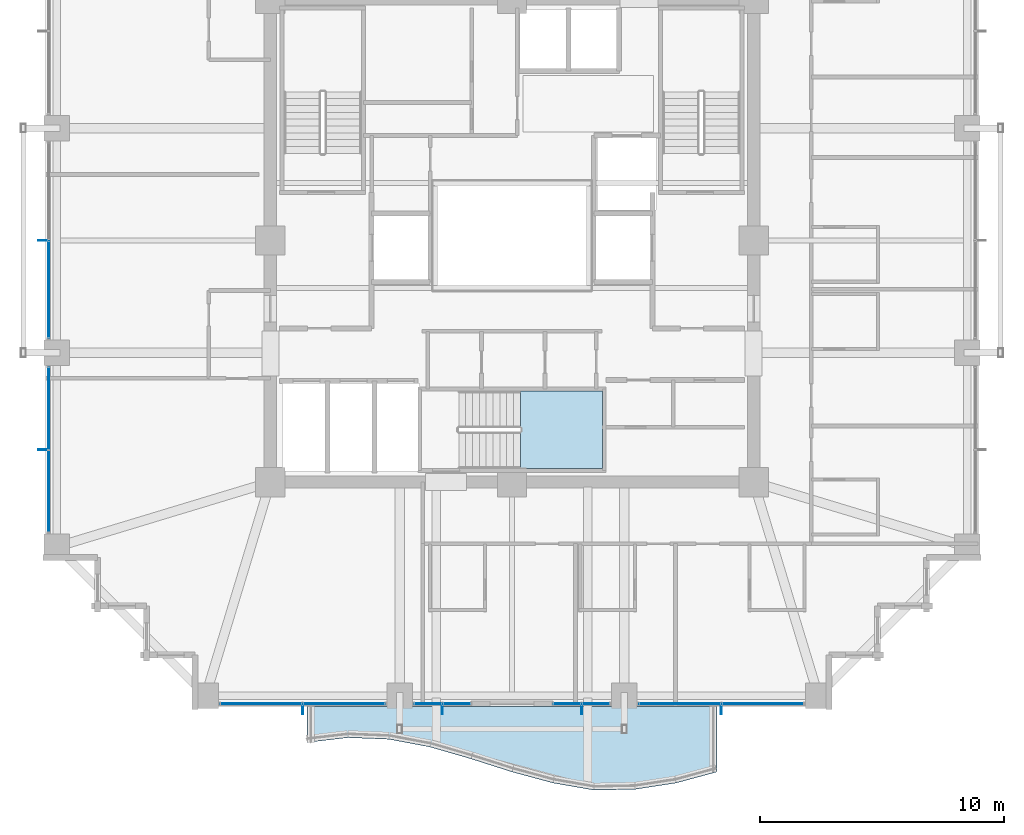
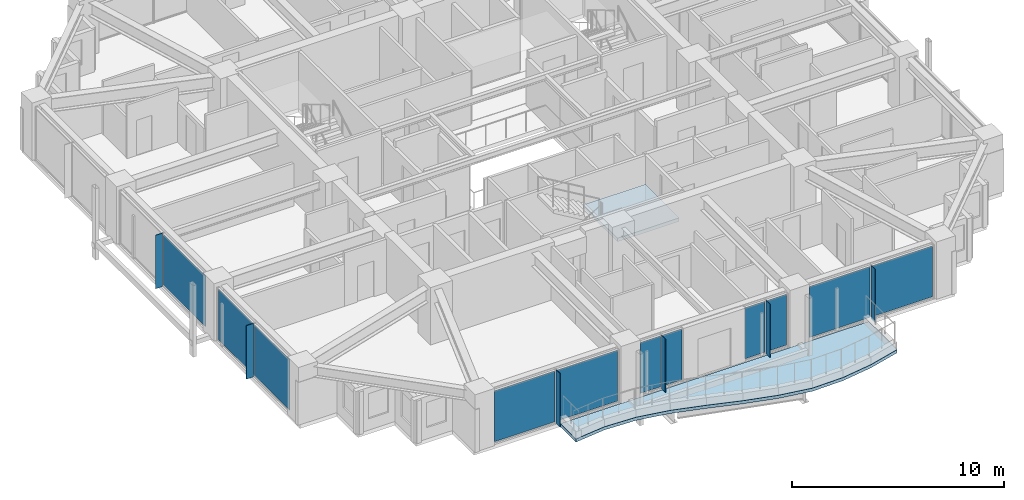
# One storey, part 22 of 34: 17 plates, 2 slabs, 7 elements without a shape of their own.
"""IFC4 building model written with IfcOpenShell, lengths in metres."""

import ifcopenshell
import ifcopenshell.guid

model = None  # the IFC model being written
_history = None  # IfcOwnerHistory: only IFC2X3 demands one
_inside = {}  # id of a spatial element -> (the spatial element, [elements in it])
_under = {}  # id of a project, library or spatial element -> (it, [spatial elements below it])
_declared = {}  # id of a project -> (the project, [libraries it declares])
_typed = {}  # id of a type object -> (the type object, [elements of that type])
_made_of = {}  # id of a material, layer set ... -> (it, [elements and type objects made of it])


def new_model(schema):
    """Start an empty IFC model of exactly this schema.

    Asked for "IFC4X3", IfcOpenShell would pick the latest addendum, in which some entities
    have other attributes; the version numbers below select the first issue.
    IFC2X3 requires an IfcOwnerHistory on every rooted entity: one is made here for all.
    """
    global model, _history
    if schema == "IFC4X3":
        model = ifcopenshell.file(schema_version=(4, 3, 0, 0))
    else:
        model = ifcopenshell.file(schema=schema)
    _inside.clear()
    _under.clear()
    _declared.clear()
    _typed.clear()
    _made_of.clear()
    _history = None
    if model.schema == "IFC2X3":
        org = make("IfcOrganization", Name="unknown")
        user = make(
            "IfcPersonAndOrganization",
            ThePerson=make("IfcPerson", FamilyName="unknown"),
            TheOrganization=org,
        )
        app = make(
            "IfcApplication",
            ApplicationDeveloper=org,
            Version="unknown",
            ApplicationFullName="unknown",
            ApplicationIdentifier="unknown",
        )
        _history = make(
            "IfcOwnerHistory",
            OwningUser=user,
            OwningApplication=app,
            ChangeAction="ADDED",
            CreationDate=0,
        )
    return model


def make(cls, **values):
    """One entity of the class cls with the attributes given. An attribute that is None is left unset."""
    return model.create_entity(
        cls, **{name: value for name, value in values.items() if value is not None}
    )


def rooted(cls, **values):
    """An entity with a GlobalId (a new one), such as an element, a storey or a relation."""
    return make(cls, GlobalId=ifcopenshell.guid.new(), OwnerHistory=_history, **values)


def si_unit(unit_type, name, prefix=None):
    """IfcSIUnit, for example si_unit("LENGTHUNIT", "METRE", prefix="MILLI")."""
    return make("IfcSIUnit", UnitType=unit_type, Prefix=prefix, Name=name)


def assignment(units):
    """IfcUnitAssignment: the units of a project."""
    return None if units is None else make("IfcUnitAssignment", Units=units)


def point(xyz):
    """IfcCartesianPoint."""
    return None if xyz is None else make("IfcCartesianPoint", Coordinates=xyz)


def direction(xyz):
    """IfcDirection."""
    return None if xyz is None else make("IfcDirection", DirectionRatios=xyz)


def frame(location, z_axis=None, x_axis=None):
    """IfcAxis2Placement3D, a coordinate frame: its origin and axes. An axis left out is left unset."""
    return make(
        "IfcAxis2Placement3D",
        Location=point(location),
        Axis=direction(z_axis),
        RefDirection=direction(x_axis),
    )


def frame_2d(location, x_axis=None):
    """IfcAxis2Placement2D, a coordinate frame in the plane: its origin and x axis."""
    return make(
        "IfcAxis2Placement2D", Location=point(location), RefDirection=direction(x_axis)
    )


def origin():
    """The frame at (0, 0, 0) with its axes left unset."""
    return frame((0.0, 0.0, 0.0))


def origin_2d():
    """The frame at (0, 0) in the plane with its x axis left unset."""
    return frame_2d((0.0, 0.0))


def place(relative_to, where):
    """IfcLocalPlacement: puts the frame where relative to a parent placement (None: the world)."""
    return make(
        "IfcLocalPlacement", PlacementRelTo=relative_to, RelativePlacement=where
    )


def context(
    kind, dimensions, precision=None, world=None, true_north=None, identifier=None
):
    """IfcGeometricRepresentationContext, for example the 3D "Model" context."""
    return make(
        "IfcGeometricRepresentationContext",
        ContextIdentifier=identifier,
        ContextType=kind,
        CoordinateSpaceDimension=dimensions,
        Precision=precision,
        WorldCoordinateSystem=world,
        TrueNorth=true_north,
    )


def subcontext(parent, identifier, kind, view, scale=None):
    """IfcGeometricRepresentationSubContext, for example "Body" below "Model"."""
    return make(
        "IfcGeometricRepresentationSubContext",
        ContextIdentifier=identifier,
        ContextType=kind,
        ParentContext=parent,
        TargetScale=scale,
        TargetView=view,
    )


def project(units=None, contexts=None):
    """IfcProject with its units and contexts."""
    return rooted(
        "IfcProject",
        Name="project",
        RepresentationContexts=contexts,
        UnitsInContext=assignment(units),
    )


def spatial(cls, under=None, at=None, **own):
    """A site, building, storey or space (cls), placed at a placement, below another one or the project."""
    s = rooted(cls, ObjectPlacement=at, **own)
    if under is not None:
        _under.setdefault(under.id(), (under, []))[1].append(s)
    return s


def polyline(points):
    """IfcPolyline through the points."""
    return make("IfcPolyline", Points=[point(p) for p in points])


def profile(cls, at=None, kind="AREA", **sizes):
    """A parametric profile (cls). Its sizes go by their IFC names, for example OverallWidth=200.0."""
    return make(cls, ProfileType=kind, Position=at, **sizes)


def rectangle(**sizes):
    """IfcRectangleProfileDef."""
    return profile("IfcRectangleProfileDef", **sizes)


def outline(outer, holes=None, kind="AREA"):
    """IfcArbitraryClosedProfileDef: a profile drawn as a closed curve; with holes, ...WithVoids."""
    if holes is None:
        return make("IfcArbitraryClosedProfileDef", ProfileType=kind, OuterCurve=outer)
    return make(
        "IfcArbitraryProfileDefWithVoids",
        ProfileType=kind,
        OuterCurve=outer,
        InnerCurves=holes,
    )


def extrude(swept, where, along, depth):
    """IfcExtrudedAreaSolid: the profile swept, set in the frame where, extruded along a direction by depth."""
    return make(
        "IfcExtrudedAreaSolid",
        SweptArea=swept,
        Position=where,
        ExtrudedDirection=direction(along),
        Depth=depth,
    )


def shape(context_of_items, identifier, shape_type, items):
    """IfcShapeRepresentation: the items that make up one representation, for example the "Body"."""
    return make(
        "IfcShapeRepresentation",
        ContextOfItems=context_of_items,
        RepresentationIdentifier=identifier,
        RepresentationType=shape_type,
        Items=items,
    )


def material(Name=None, Category=None):
    """IfcMaterial."""
    return make("IfcMaterial", Name=Name, Category=Category)


def layer(
    of_material, thickness, ventilated=None, Name=None, Category=None, Priority=None
):
    """IfcMaterialLayer: one layer of a wall or slab, of a material (None: an air gap)."""
    return make(
        "IfcMaterialLayer",
        Material=of_material,
        LayerThickness=thickness,
        IsVentilated=ventilated,
        Name=Name,
        Category=Category,
        Priority=Priority,
    )


def layer_set(layers, Name=None):
    """IfcMaterialLayerSet."""
    return make("IfcMaterialLayerSet", MaterialLayers=layers, LayerSetName=Name)


def made_of(thing, what):
    """Note that an element or type object is made of a material, layer set ...; save() writes the relation."""
    if what is not None:
        _made_of.setdefault(what.id(), (what, []))[1].append(thing)
    return thing


def type_object(cls, material=None, **own):
    """A type object (cls), such as IfcWallType, which elements share."""
    return made_of(rooted(cls, **own), material)


def element(
    cls,
    number,
    at=None,
    inside=None,
    cuts=None,
    type_object=None,
    material=None,
    context=None,
    identifier="Body",
    shape_type=None,
    held_by="IfcProductDefinitionShape",
    body=None,
    shapes=None,
    **own,
):
    """One element of the class cls, such as IfcWall. Its Tag is "e" and its number.

    at: its placement. inside: the storey or other place that contains it. cuts: it is an
    opening in that element (IfcRelVoidsElement). A single representation is given by context,
    identifier, shape_type and body (its items); several are given by shapes. held_by: the class
    of the entity that holds the representations. save() writes the other relations.
    """
    e = rooted(cls, Tag="e%d" % number, ObjectPlacement=at, **own)
    if body is not None:
        shapes = [shape(context, identifier, shape_type, body)]
    if shapes is not None:
        e.Representation = make(held_by, Representations=shapes)
    if inside is not None:
        _inside.setdefault(inside.id(), (inside, []))[1].append(e)
    if cuts is not None:
        rooted(
            "IfcRelVoidsElement", RelatingBuildingElement=cuts, RelatedOpeningElement=e
        )
    if type_object is not None:
        _typed.setdefault(type_object.id(), (type_object, []))[1].append(e)
    return made_of(e, material)


def aggregate(whole, parts):
    """IfcRelAggregates: a whole, such as a stair, and the parts it consists of."""
    return rooted("IfcRelAggregates", RelatingObject=whole, RelatedObjects=parts)


def save(model, path):
    """Write the relations noted so far, then the file.

    IfcRelAggregates (storeys below a building ...), IfcRelContainedInSpatialStructure (elements
    in a storey), IfcRelDefinesByType, IfcRelAssociatesMaterial and IfcRelDeclares: one each for
    every whole, place, type object, material and project.
    """
    for whole, parts in _under.values():
        aggregate(whole, parts)
    for where, things in _inside.values():
        rooted(
            "IfcRelContainedInSpatialStructure",
            RelatedElements=things,
            RelatingStructure=where,
        )
    for kind, things in _typed.values():
        rooted("IfcRelDefinesByType", RelatedObjects=things, RelatingType=kind)
    for what, things in _made_of.values():
        rooted("IfcRelAssociatesMaterial", RelatedObjects=things, RelatingMaterial=what)
    for by, libraries in _declared.values():
        rooted("IfcRelDeclares", RelatingContext=by, RelatedDefinitions=libraries)
    model.write(path)


model = new_model("IFC4")

# Units and contexts
model_context = context("Model", 3, precision=1e-05, world=origin(), true_north=direction((0.0, 1.0)))
body_context = subcontext(model_context, "Body", "Model", "MODEL_VIEW")
ifc_project = project(units=[si_unit("LENGTHUNIT", "METRE"), si_unit("AREAUNIT", "SQUARE_METRE"), si_unit("VOLUMEUNIT", "CUBIC_METRE"), si_unit("PLANEANGLEUNIT", "RADIAN"), si_unit("MASSUNIT", "GRAM", prefix="KILO")], contexts=[model_context])

# Site, building, storey
site_placement = place(None, origin())
site = spatial("IfcSite", under=ifc_project, at=site_placement, CompositionType="ELEMENT")
building_placement = place(site_placement, origin())
building = spatial("IfcBuilding", under=site, at=building_placement, Name="Kolvaren Belvedere", CompositionType="ELEMENT")
storey_placement = place(building_placement, frame((0.0, 0.0, 111.800048828125)))
storey = spatial("IfcBuildingStorey", under=building, at=storey_placement, Name="L32", CompositionType="ELEMENT", Elevation=111.800048828125)

# Curtain wall, plates
ifc_material_1 = material(Name="Anodised pale-metal aluminium AA 6063-T6", Category="aluminium")
curtain_wall_type = type_object("IfcCurtainWallType", Name="CW-Z3-WAIST", PredefinedType="NOTDEFINED", material=ifc_material_1)
curtain_wall_1_placement = place(storey_placement, origin())
curtain_wall_1 = element("IfcCurtainWall", 1, at=curtain_wall_1_placement, inside=storey, type_object=curtain_wall_type, Name="L32 Unitised Curtain Wall FCW-L32-S1-B1", PredefinedType="NOTDEFINED")
ifc_material_2 = material(Name="Low-iron triple insulated glass", Category="glass")
ifc_layer_1 = layer(ifc_material_2, 0.028076171875)
ifc_layer_set_1 = layer_set([ifc_layer_1], Name="Low-iron triple insulated glass")
plate_type_1 = type_object("IfcPlateType", Name="CW-PNL-VIS28", PredefinedType="CURTAIN_PANEL", material=ifc_layer_set_1)
plate_1_placement = place(storey_placement, frame((10.273681640625, -18.97998046875, 0.080078125), z_axis=(0.0, 0.0, 1.0), x_axis=(-1.0, 0.0, 0.0)))
plate_1 = element("IfcPlate", 2, at=plate_1_placement, type_object=plate_type_1, Name="FCW-L32-S1-B1 Vision Glazing Panel 1", PredefinedType="CURTAIN_PANEL", context=body_context, shape_type="SweptSolid", body=[
    extrude(rectangle(XDim=3.3173828125, YDim=0.028076171875, at=origin_2d()), origin(), (0.0, 0.0, 1.0), 2.919921875),
])
plate_2_placement = place(storey_placement, frame((6.876220703125, -18.97998046875, 0.080078125), z_axis=(0.0, 0.0, 1.0), x_axis=(-1.0, 0.0, 0.0)))
plate_2 = element("IfcPlate", 3, at=plate_2_placement, type_object=plate_type_1, Name="FCW-L32-S1-B1 Vision Glazing Panel 2", PredefinedType="CURTAIN_PANEL", context=body_context, shape_type="SweptSolid", body=[
    extrude(rectangle(XDim=3.3173828125, YDim=0.028076171875, at=origin_2d()), origin(), (0.0, 0.0, 1.0), 2.919921875),
])
aggregate(curtain_wall_1, [plate_1, plate_2])

curtain_wall_2_placement = place(storey_placement, origin())
curtain_wall_2 = element("IfcCurtainWall", 4, at=curtain_wall_2_placement, inside=storey, type_object=curtain_wall_type, Name="L32 Unitised Curtain Wall FCW-L32-S1-B2", PredefinedType="NOTDEFINED")
plate_3_placement = place(storey_placement, frame((3.43701171875, -18.97998046875, 0.080078125), z_axis=(0.0, 0.0, 1.0), x_axis=(-1.0, 0.0, 0.0)))
plate_3 = element("IfcPlate", 5, at=plate_3_placement, type_object=plate_type_1, Name="FCW-L32-S1-B2 Vision Glazing Panel 1", PredefinedType="CURTAIN_PANEL", context=body_context, shape_type="SweptSolid", body=[
    extrude(rectangle(XDim=1.09130859375, YDim=0.028076171875, at=origin_2d()), origin(), (0.0, 0.0, 1.0), 2.919921875),
])
plate_4_placement = place(storey_placement, frame((2.265625, -18.97998046875, 0.080078125), z_axis=(0.0, 0.0, 1.0), x_axis=(-1.0, 0.0, 0.0)))
plate_4 = element("IfcPlate", 6, at=plate_4_placement, type_object=plate_type_1, Name="FCW-L32-S1-B2 Vision Glazing Panel 2", PredefinedType="CURTAIN_PANEL", context=body_context, shape_type="SweptSolid", body=[
    extrude(rectangle(XDim=1.09130859375, YDim=0.028076171875, at=origin_2d()), origin(), (0.0, 0.0, 1.0), 2.919921875),
])
aggregate(curtain_wall_2, [plate_3, plate_4])

curtain_wall_3_placement = place(storey_placement, origin())
curtain_wall_3 = element("IfcCurtainWall", 7, at=curtain_wall_3_placement, inside=storey, type_object=curtain_wall_type, Name="L32 Unitised Curtain Wall FCW-L32-S2-B1", PredefinedType="NOTDEFINED")
plate_5_placement = place(storey_placement, frame((-2.265625, -18.97998046875, 0.080078125), z_axis=(0.0, 0.0, 1.0), x_axis=(-1.0, 0.0, 0.0)))
plate_5 = element("IfcPlate", 8, at=plate_5_placement, type_object=plate_type_1, Name="FCW-L32-S2-B1 Vision Glazing Panel 1", PredefinedType="CURTAIN_PANEL", context=body_context, shape_type="SweptSolid", body=[
    extrude(rectangle(XDim=1.09130859375, YDim=0.028076171875, at=origin_2d()), origin(), (0.0, 0.0, 1.0), 2.919921875),
])
plate_6_placement = place(storey_placement, frame((-3.43701171875, -18.97998046875, 0.080078125), z_axis=(0.0, 0.0, 1.0), x_axis=(-1.0, 0.0, 0.0)))
plate_6 = element("IfcPlate", 9, at=plate_6_placement, type_object=plate_type_1, Name="FCW-L32-S2-B1 Vision Glazing Panel 2", PredefinedType="CURTAIN_PANEL", context=body_context, shape_type="SweptSolid", body=[
    extrude(rectangle(XDim=1.09130859375, YDim=0.028076171875, at=origin_2d()), origin(), (0.0, 0.0, 1.0), 2.919921875),
])
aggregate(curtain_wall_3, [plate_5, plate_6])

curtain_wall_4_placement = place(storey_placement, origin())
curtain_wall_4 = element("IfcCurtainWall", 10, at=curtain_wall_4_placement, inside=storey, type_object=curtain_wall_type, Name="L32 Unitised Curtain Wall FCW-L32-S2-B2", PredefinedType="NOTDEFINED")
plate_7_placement = place(storey_placement, frame((-6.876220703125, -18.97998046875, 0.080078125), z_axis=(0.0, 0.0, 1.0), x_axis=(-1.0, 0.0, 0.0)))
plate_7 = element("IfcPlate", 11, at=plate_7_placement, type_object=plate_type_1, Name="FCW-L32-S2-B2 Vision Glazing Panel 1", PredefinedType="CURTAIN_PANEL", context=body_context, shape_type="SweptSolid", body=[
    extrude(rectangle(XDim=3.3173828125, YDim=0.028076171875, at=origin_2d()), origin(), (0.0, 0.0, 1.0), 2.919921875),
])
plate_8_placement = place(storey_placement, frame((-10.273681640625, -18.97998046875, 0.080078125), z_axis=(0.0, 0.0, 1.0), x_axis=(-1.0, 0.0, 0.0)))
plate_8 = element("IfcPlate", 12, at=plate_8_placement, type_object=plate_type_1, Name="FCW-L32-S2-B2 Vision Glazing Panel 2", PredefinedType="CURTAIN_PANEL", context=body_context, shape_type="SweptSolid", body=[
    extrude(rectangle(XDim=3.3173828125, YDim=0.028076171875, at=origin_2d()), origin(), (0.0, 0.0, 1.0), 2.919921875),
])
aggregate(curtain_wall_4, [plate_7, plate_8])

curtain_wall_5_placement = place(storey_placement, origin())
curtain_wall_5 = element("IfcCurtainWall", 13, at=curtain_wall_5_placement, inside=storey, type_object=curtain_wall_type, Name="L32 Unitised Curtain Wall FCW-L32-W-B1", PredefinedType="NOTDEFINED")
plate_9_placement = place(storey_placement, frame((-18.97998046875, -10.273681640625, 0.080078125), z_axis=(0.0, 0.0, 1.0), x_axis=(0.0, 1.0, 0.0)))
plate_9 = element("IfcPlate", 14, at=plate_9_placement, type_object=plate_type_1, Name="FCW-L32-W-B1 Vision Glazing Panel 1", PredefinedType="CURTAIN_PANEL", context=body_context, shape_type="SweptSolid", body=[
    extrude(rectangle(XDim=3.3173828125, YDim=0.028076171875, at=origin_2d()), origin(), (0.0, 0.0, 1.0), 2.919921875),
])
plate_10_placement = place(storey_placement, frame((-18.97998046875, -6.876220703125, 0.080078125), z_axis=(0.0, 0.0, 1.0), x_axis=(0.0, 1.0, 0.0)))
plate_10 = element("IfcPlate", 15, at=plate_10_placement, type_object=plate_type_1, Name="FCW-L32-W-B1 Vision Glazing Panel 2", PredefinedType="CURTAIN_PANEL", context=body_context, shape_type="SweptSolid", body=[
    extrude(rectangle(XDim=3.3173828125, YDim=0.028076171875, at=origin_2d()), origin(), (0.0, 0.0, 1.0), 2.919921875),
])
aggregate(curtain_wall_5, [plate_9, plate_10])

# Curtain wall, plate
curtain_wall_6_placement = place(storey_placement, origin())
curtain_wall_6 = element("IfcCurtainWall", 16, at=curtain_wall_6_placement, inside=storey, type_object=curtain_wall_type, Name="L32 Unitised Curtain Wall FCW-L32-W-B2", PredefinedType="NOTDEFINED")
plate_11_placement = place(storey_placement, frame((-18.97998046875, -2.01123046875, 0.080078125), z_axis=(0.0, 0.0, 1.0), x_axis=(0.0, 1.0, 0.0)))
plate_11 = element("IfcPlate", 17, at=plate_11_placement, type_object=plate_type_1, Name="FCW-L32-W-B2 Vision Glazing Panel 1", PredefinedType="CURTAIN_PANEL", context=body_context, shape_type="SweptSolid", body=[
    extrude(rectangle(XDim=3.9423828125, YDim=0.028076171875, at=origin_2d()), origin(), (0.0, 0.0, 1.0), 2.919921875),
])
aggregate(curtain_wall_6, [plate_11])

# Plates
ifc_material_3 = material(Name="Anodised pale-metal aluminium AA 6063-T6", Category="aluminium")
ifc_layer_2 = layer(ifc_material_3, 0.033935546875)
ifc_layer_set_2 = layer_set([ifc_layer_2], Name="Anodised pale-metal aluminium AA 6063-T6")
plate_type_2 = type_object("IfcPlateType", Name="FIN-VERT-380", PredefinedType="USERDEFINED", material=ifc_layer_set_2)
for number, where, z_axis, x_axis, name in (
    (18, (8.574951171875, -19.219970703125, 0.0), (0.0, 0.0, 1.0), (0.0, 1.0, 0.0), "L32 Pale-Metal Vertical Shading Fin FCW-L32-S1-B1-1"),
    (19, (2.851318359375, -19.219970703125, 0.0), (0.0, 0.0, 1.0), (0.0, 1.0, 0.0), "L32 Pale-Metal Vertical Shading Fin FCW-L32-S1-B2-1"),
    (20, (-2.851318359375, -19.219970703125, 0.0), (0.0, 0.0, 1.0), (0.0, 1.0, 0.0), "L32 Pale-Metal Vertical Shading Fin FCW-L32-S2-B1-1"),
    (21, (-8.574951171875, -19.219970703125, 0.0), (0.0, 0.0, 1.0), (0.0, 1.0, 0.0), "L32 Pale-Metal Vertical Shading Fin FCW-L32-S2-B2-1"),
    (22, (-19.219970703125, -8.574951171875, 0.0), (0.0, 0.0, 1.0), (1.0, 0.0, 0.0), "L32 Pale-Metal Vertical Shading Fin FCW-L32-W-B1-1"),
    (23, (-19.219970703125, 0.0, 0.0), (0.0, 0.0, 1.0), (1.0, 0.0, 0.0), "L32 Pale-Metal Vertical Shading Fin FCW-L32-W-B2-1"),
):
    element("IfcPlate", number, at=place(storey_placement, frame(where, z_axis=z_axis, x_axis=x_axis)), inside=storey, type_object=plate_type_2, Name=name, ObjectType="VERTICAL FIN", PredefinedType="USERDEFINED", context=body_context, shape_type="SweptSolid", body=[
        extrude(rectangle(XDim=0.3798828125, YDim=0.033935546875, at=origin_2d()), origin(), (0.0, 0.0, 1.0), 3.080078125),
    ])

# Slab
ifc_material_4 = material(Name="Concrete C50/60", Category="concrete")
ifc_layer_3 = layer(ifc_material_4, 0.179931640625)
ifc_layer_set_3 = layer_set([ifc_layer_3], Name="Concrete C50/60")
slab_type_1 = type_object("IfcSlabType", Name="SL-BAL-180", PredefinedType="FLOOR", material=ifc_layer_set_3)
slab_1_placement = place(storey_placement, frame((0.0, 0.0, -0.219970703125)))
element("IfcSlab", 24, at=slab_1_placement, inside=storey, type_object=slab_type_1, Name="L32 Planted Balcony BAL-S", PredefinedType="FLOOR", context=body_context, shape_type="SweptSolid", body=[
    extrude(outline(polyline([(-8.39990234375, -20.56640625), (-6.719970703125, -20.368408203125), (-5.0400390625, -20.435791015625), (-3.360107421875, -20.751708984375), (-1.679931640625, -21.237548828125), (0.0, -21.773681640625), (1.679931640625, -22.227294921875), (3.360107421875, -22.52001953125), (5.0400390625, -22.486083984375), (6.719970703125, -22.227294921875), (8.39990234375, -21.773681640625), (8.39990234375, -19.10009765625), (6.719970703125, -19.10009765625), (5.0400390625, -19.10009765625), (3.360107421875, -19.10009765625), (1.679931640625, -19.10009765625), (0.0, -19.10009765625), (-1.679931640625, -19.10009765625), (-3.360107421875, -19.10009765625), (-5.0400390625, -19.10009765625), (-6.719970703125, -19.10009765625), (-8.39990234375, -19.10009765625), (-8.39990234375, -20.56640625)])), origin(), (0.0, 0.0, 1.0), 0.179931640625),
])

# Stair, slab
ifc_material_5 = material(Name="Concrete C50/60", Category="concrete")
stair_type = type_object("IfcStairType", Name="ST-CORE-1520", PredefinedType="HALF_TURN_STAIR", material=ifc_material_5)
stair_placement = place(storey_placement, origin())
stair = element("IfcStair", 25, at=stair_placement, inside=storey, type_object=stair_type, Name="L32 Protected Exit Stair ST-3", PredefinedType="HALF_TURN_STAIR")
ifc_material_6 = material(Name="Concrete C50/60", Category="concrete")
ifc_layer_4 = layer(ifc_material_6, 0.260009765625)
ifc_layer_set_4 = layer_set([ifc_layer_4], Name="Concrete C50/60")
slab_type_2 = type_object("IfcSlabType", Name="SL-LAND-260", PredefinedType="LANDING", material=ifc_layer_set_4)
slab_2_placement = place(storey_placement, frame((0.0, 0.0, 1.449951171875)))
slab_2 = element("IfcSlab", 26, at=slab_2_placement, type_object=slab_type_2, Name="ST-3 landing 1", PredefinedType="LANDING", context=body_context, shape_type="SweptSolid", body=[
    extrude(outline(polyline([(0.340087890625, -9.35009765625), (3.699951171875, -9.35009765625), (3.699951171875, -6.159912109375), (0.340087890625, -6.159912109375), (0.340087890625, -9.35009765625)])), origin(), (0.0, 0.0, 1.0), 0.199951171875),
])
aggregate(stair, [slab_2])

save(model, "model.ifc")
